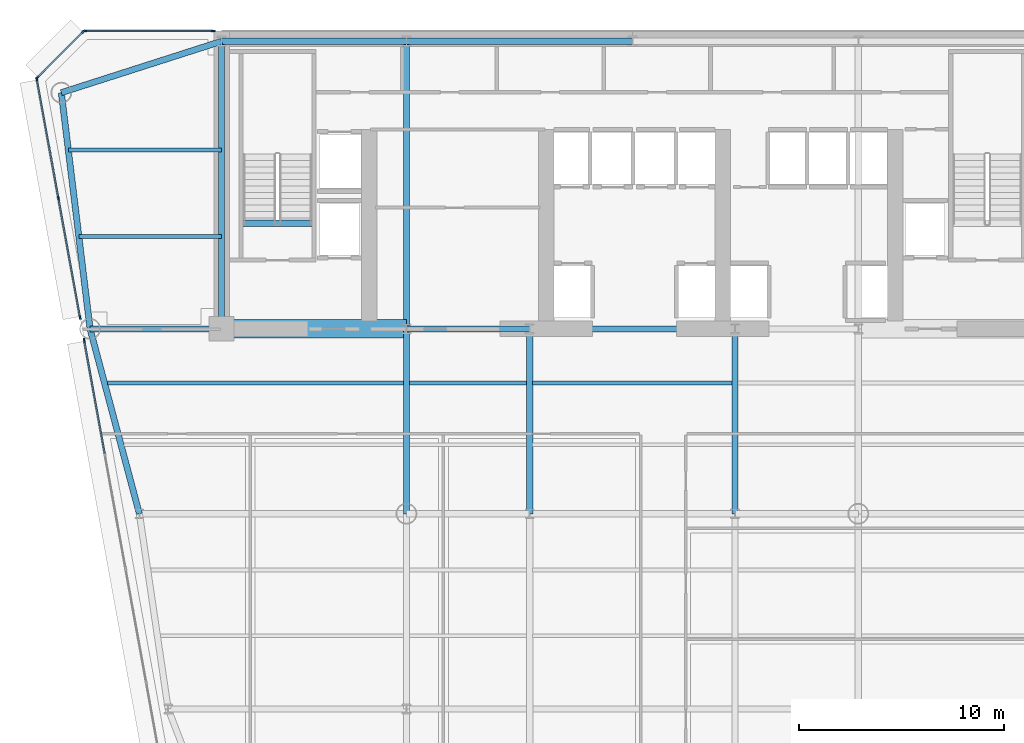
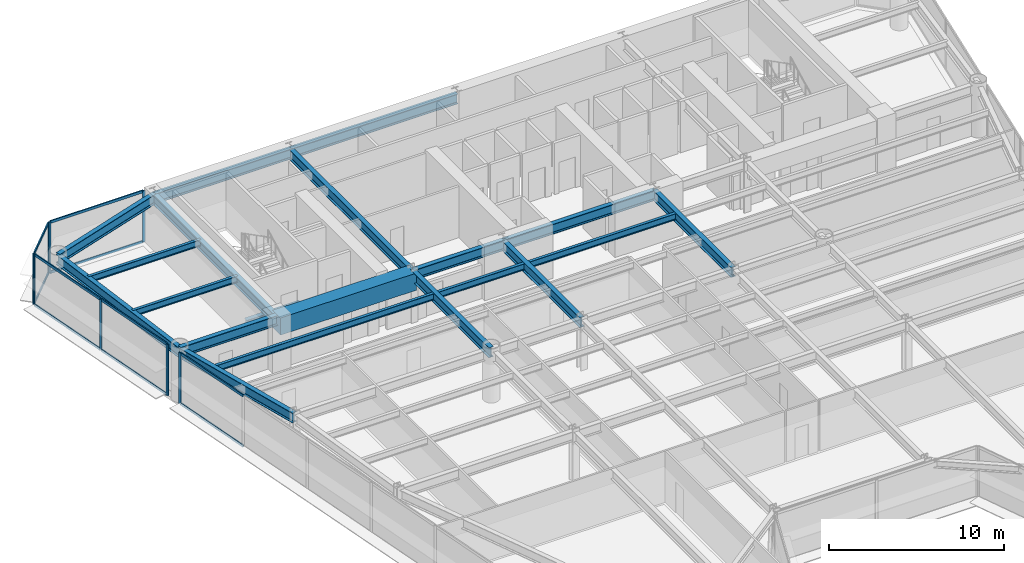
# One storey, part 5 of 14: 20 beams, 18 members, 4 elements without a shape of their own.
"""IFC4 building model written with IfcOpenShell, lengths in metres."""

from ifc_helpers import new_model, si_unit, direction, frame, origin, origin_2d, place, context, subcontext, project, spatial, rectangle, i_section, extrude, source, transform, mapped, material, layer, layer_set, material_profile, profile_set, type_object, element, aggregate, save


model = new_model("IFC4")

# Units and contexts
model_context = context("Model", 3, precision=1e-05, world=origin(), true_north=direction((0.0, 1.0)))
body_context = subcontext(model_context, "Body", "Model", "MODEL_VIEW")
ifc_project = project(units=[si_unit("LENGTHUNIT", "METRE"), si_unit("AREAUNIT", "SQUARE_METRE"), si_unit("VOLUMEUNIT", "CUBIC_METRE"), si_unit("PLANEANGLEUNIT", "RADIAN"), si_unit("MASSUNIT", "GRAM", prefix="KILO")], contexts=[model_context])

# Site, building, storey
site_placement = place(None, origin())
site = spatial("IfcSite", under=ifc_project, at=site_placement, CompositionType="ELEMENT")
building_placement = place(site_placement, origin())
building = spatial("IfcBuilding", under=site, at=building_placement, Name="Vaeldorn Concourse Tower", CompositionType="ELEMENT")
storey_placement = place(building_placement, frame((0.0, 0.0, 141.39990234375)))
storey = spatial("IfcBuildingStorey", under=building, at=storey_placement, Name="L36", CompositionType="ELEMENT", Elevation=141.39990234375)

# Beams
ifc_material_1 = material(Name="Concrete C60/75", Category="concrete")
ifc_material_profile_1 = material_profile(ifc_material_1, rectangle(XDim=0.89990234375, YDim=1.199951171875, at=origin_2d()), Name="RC 900x1200")
ifc_profile_set_1 = profile_set([ifc_material_profile_1], Name="Concrete C60/75")
beam_type_1 = type_object("IfcBeamType", Name="BM-CB-RC900", PredefinedType="BEAM", material=ifc_profile_set_1)
shared_shape_1 = source(origin(), body_context, "Body", "SweptSolid", [
    extrude(rectangle(XDim=0.89990234375, YDim=1.199951171875, at=origin_2d()), origin(), (0.0, 0.0, 1.0), 9.0),
])
beam_1_placement = place(storey_placement, frame((14.0, 36.5, 2.97998046875), z_axis=(1.0, 0.0, 0.0), x_axis=(0.0, 1.0, 0.0)))
element("IfcBeam", 1, at=beam_1_placement, inside=storey, type_object=beam_type_1, Name="Core Coupling Beam L36-1", PredefinedType="BEAM", context=body_context, shape_type="MappedRepresentation", body=[
    mapped(shared_shape_1, transform((0.0, 0.0, 0.0), scale=1.0)),
])
ifc_material_2 = material(Name="Steel S355", Category="steel")
ifc_material_profile_2 = material_profile(ifc_material_2, i_section(OverallWidth=0.300048828125, OverallDepth=0.340087890625, WebThickness=0.011962890625, FlangeThickness=0.021484375, FilletRadius=0.027099609375, at=origin_2d()), Name="HEB 340")
ifc_profile_set_2 = profile_set([ifc_material_profile_2], Name="Steel S355")
beam_type_2 = type_object("IfcBeamType", Name="BM-ST-TRIM", PredefinedType="BEAM", material=ifc_profile_set_2)
shared_shape_2 = source(origin(), body_context, "Body", "SweptSolid", [
    extrude(i_section(OverallWidth=0.300048828125, OverallDepth=0.340087890625, WebThickness=0.011962890625, FlangeThickness=0.021484375, FilletRadius=0.027099609375, at=origin_2d()), origin(), (0.0, 0.0, 1.0), 3.590087890625),
])
beam_2_placement = place(storey_placement, frame((14.929931640625, 41.639892578125, -0.389892578125), z_axis=(1.0, 0.0, 0.0), x_axis=(0.0, 1.0, 0.0)))
element("IfcBeam", 2, at=beam_2_placement, inside=storey, type_object=beam_type_2, Name="Stair Landing Trimmer Beam ST-1 L36", PredefinedType="BEAM", context=body_context, shape_type="MappedRepresentation", body=[
    mapped(shared_shape_2, transform((0.0, 0.0, 0.0), scale=1.0)),
])
ifc_material_profile_3 = material_profile(ifc_material_2, i_section(OverallWidth=0.300048828125, OverallDepth=0.699951171875, WebThickness=0.01708984375, FlangeThickness=0.031982421875, FilletRadius=0.027099609375, at=origin_2d()), Name="HEB 700")
ifc_profile_set_3 = profile_set([ifc_material_profile_3], Name="Steel S355")
beam_type_3 = type_object("IfcBeamType", Name="BM-PG-HEB700", PredefinedType="BEAM", material=ifc_profile_set_3)
shared_shape_3 = source(origin(), body_context, "Body", "SweptSolid", [
    extrude(i_section(OverallWidth=0.300048828125, OverallDepth=0.699951171875, WebThickness=0.01708984375, FlangeThickness=0.031982421875, FilletRadius=0.027099609375, at=origin_2d()), origin(), (0.0, 0.0, 1.0), 6.0),
])
beam_3_placement = place(storey_placement, frame((23.0, 36.5, 3.22998046875), z_axis=(1.0, 0.0, 0.0), x_axis=(0.0, 1.0, 0.0)))
element("IfcBeam", 3, at=beam_3_placement, inside=storey, type_object=beam_type_3, Name="Beam BM-L36-C-FC2-C-FC3", PredefinedType="BEAM", context=body_context, shape_type="MappedRepresentation", body=[
    mapped(shared_shape_3, transform((0.0, 0.0, 0.0), scale=1.0)),
])
shared_shape_4 = source(origin(), body_context, "Body", "SweptSolid", [
    extrude(i_section(OverallWidth=0.300048828125, OverallDepth=0.699951171875, WebThickness=0.01708984375, FlangeThickness=0.031982421875, FilletRadius=0.027099609375, at=origin_2d()), origin(), (0.0, 0.0, 1.0), 10.0),
])
beam_4_placement = place(storey_placement, frame((29.0, 36.5, 3.22998046875), z_axis=(1.0, 0.0, 0.0), x_axis=(0.0, 1.0, 0.0)))
element("IfcBeam", 4, at=beam_4_placement, inside=storey, type_object=beam_type_3, Name="Beam BM-L36-C-FC3-C-FC4", PredefinedType="BEAM", context=body_context, shape_type="MappedRepresentation", body=[
    mapped(shared_shape_4, transform((0.0, 0.0, 0.0), scale=1.0)),
])
shared_shape_5 = source(origin(), body_context, "Body", "SweptSolid", [
    extrude(i_section(OverallWidth=0.300048828125, OverallDepth=0.699951171875, WebThickness=0.01708984375, FlangeThickness=0.031982421875, FilletRadius=0.027099609375, at=origin_2d()), origin(), (0.0, 0.0, 1.0), 9.0),
])
for number, where, z_axis, x_axis, name in (
    (5, (14.0, 50.5, 3.22998046875), (1.0, 0.0, 0.0), (0.0, 1.0, 0.0), "Beam BM-L36-C-HC1-C-HC2"),
    (6, (23.0, 27.5, 3.22998046875), (0.0, 1.0, 0.0), (-1.0, 0.0, 0.0), "Beam BM-L36-C-TW1-C-FC2"),
    (7, (29.0, 27.5, 3.22998046875), (0.0, 1.0, 0.0), (-1.0, 0.0, 0.0), "Beam BM-L36-C-TW2-C-FC3"),
    (8, (39.0, 27.5, 3.22998046875), (0.0, 1.0, 0.0), (-1.0, 0.0, 0.0), "Beam BM-L36-C-TW3-C-FC4"),
):
    element("IfcBeam", number, at=place(storey_placement, frame(where, z_axis=z_axis, x_axis=x_axis)), inside=storey, type_object=beam_type_3, Name=name, PredefinedType="BEAM", context=body_context, shape_type="MappedRepresentation", body=[
        mapped(shared_shape_5, transform((0.0, 0.0, 0.0), scale=1.0)),
    ])
shared_shape_6 = source(origin(), body_context, "Body", "SweptSolid", [
    extrude(i_section(OverallWidth=0.300048828125, OverallDepth=0.699951171875, WebThickness=0.01708984375, FlangeThickness=0.031982421875, FilletRadius=0.027099609375, at=origin_2d()), origin(), (0.0, 0.0, 1.0), 11.0),
])
beam_5_placement = place(storey_placement, frame((23.0, 50.5, 3.22998046875), z_axis=(1.0, 0.0, 0.0), x_axis=(0.0, 1.0, 0.0)))
element("IfcBeam", 9, at=beam_5_placement, inside=storey, type_object=beam_type_3, Name="Beam BM-L36-C-HC2-C-HC3", PredefinedType="BEAM", context=body_context, shape_type="MappedRepresentation", body=[
    mapped(shared_shape_6, transform((0.0, 0.0, 0.0), scale=1.0)),
])
shared_shape_7 = source(origin(), body_context, "Body", "SweptSolid", [
    extrude(i_section(OverallWidth=0.300048828125, OverallDepth=0.699951171875, WebThickness=0.01708984375, FlangeThickness=0.031982421875, FilletRadius=0.027099609375, at=origin_2d()), origin(), (0.0, 0.0, 1.0), 14.0),
])
for number, where, z_axis, x_axis, name in (
    (10, (14.0, 36.5, 3.22998046875), (0.0, 1.0, 0.0), (-1.0, 0.0, 0.0), "Beam BM-L36-C-FC1-C-HC1"),
    (11, (23.0, 36.5, 3.22998046875), (0.0, 1.0, 0.0), (-1.0, 0.0, 0.0), "Beam BM-L36-C-FC2-C-HC2"),
):
    element("IfcBeam", number, at=place(storey_placement, frame(where, z_axis=z_axis, x_axis=x_axis)), inside=storey, type_object=beam_type_3, Name=name, PredefinedType="BEAM", context=body_context, shape_type="MappedRepresentation", body=[
        mapped(shared_shape_7, transform((0.0, 0.0, 0.0), scale=1.0)),
    ])
shared_shape_8 = source(origin(), body_context, "Body", "SweptSolid", [
    extrude(i_section(OverallWidth=0.300048828125, OverallDepth=0.699951171875, WebThickness=0.01708984375, FlangeThickness=0.031982421875, FilletRadius=0.027099609375, at=origin_2d()), origin(), (0.0, 0.0, 1.0), 8.19091796875),
])
beam_6_placement = place(storey_placement, frame((6.199951171875, 48.0, 3.22998046875), z_axis=(0.952282843383, 0.305216949396, 0.0), x_axis=(-0.305216949396, 0.952282843383, 0.0)))
element("IfcBeam", 12, at=beam_6_placement, inside=storey, type_object=beam_type_3, Name="Beam BM-L36-C-NW1-C-HC1", PredefinedType="BEAM", context=body_context, shape_type="MappedRepresentation", body=[
    mapped(shared_shape_8, transform((0.0, 0.0, 0.0), scale=1.0)),
])
shared_shape_9 = source(origin(), body_context, "Body", "SweptSolid", [
    extrude(i_section(OverallWidth=0.300048828125, OverallDepth=0.699951171875, WebThickness=0.01708984375, FlangeThickness=0.031982421875, FilletRadius=0.027099609375, at=origin_2d()), origin(), (0.0, 0.0, 1.0), 11.5849609375),
])
beam_7_placement = place(storey_placement, frame((6.199951171875, 48.0, 3.22998046875), z_axis=(0.120859382899, -0.992669637677, 0.0), x_axis=(0.992669637677, 0.120859382899, 0.0)))
element("IfcBeam", 13, at=beam_7_placement, inside=storey, type_object=beam_type_3, Name="Beam BM-L36-C-NW1-C-NW2", PredefinedType="BEAM", context=body_context, shape_type="MappedRepresentation", body=[
    mapped(shared_shape_9, transform((0.0, 0.0, 0.0), scale=1.0)),
])
shared_shape_10 = source(origin(), body_context, "Body", "SweptSolid", [
    extrude(i_section(OverallWidth=0.300048828125, OverallDepth=0.699951171875, WebThickness=0.01708984375, FlangeThickness=0.031982421875, FilletRadius=0.027099609375, at=origin_2d()), origin(), (0.0, 0.0, 1.0), 6.39990234375),
])
beam_8_placement = place(storey_placement, frame((7.60009765625, 36.5, 3.22998046875), z_axis=(1.0, 0.0, 0.0), x_axis=(0.0, 1.0, 0.0)))
element("IfcBeam", 14, at=beam_8_placement, inside=storey, type_object=beam_type_3, Name="Beam BM-L36-C-NW2-C-FC1", PredefinedType="BEAM", context=body_context, shape_type="MappedRepresentation", body=[
    mapped(shared_shape_10, transform((0.0, 0.0, 0.0), scale=1.0)),
])
shared_shape_11 = source(origin(), body_context, "Body", "SweptSolid", [
    extrude(i_section(OverallWidth=0.300048828125, OverallDepth=0.699951171875, WebThickness=0.01708984375, FlangeThickness=0.031982421875, FilletRadius=0.027099609375, at=origin_2d()), origin(), (0.0, 0.0, 1.0), 9.314453125),
])
beam_9_placement = place(storey_placement, frame((7.60009765625, 36.5, 3.22998046875), z_axis=(0.257652862255, -0.966237549763, 0.0), x_axis=(0.966237549763, 0.257652862255, 0.0)))
element("IfcBeam", 15, at=beam_9_placement, inside=storey, type_object=beam_type_3, Name="Beam BM-L36-C-NW2-C-FLW1", PredefinedType="BEAM", context=body_context, shape_type="MappedRepresentation", body=[
    mapped(shared_shape_11, transform((0.0, 0.0, 0.0), scale=1.0)),
])
ifc_material_profile_4 = material_profile(ifc_material_2, i_section(OverallWidth=0.18994140625, OverallDepth=0.449951171875, WebThickness=0.009521484375, FlangeThickness=0.0146484375, FilletRadius=0.02099609375, at=origin_2d()), Name="IPE 450")
ifc_profile_set_4 = profile_set([ifc_material_profile_4], Name="Steel S355")
beam_type_4 = type_object("IfcBeamType", Name="BM-JS-IPE450", PredefinedType="JOIST", material=ifc_profile_set_4)
shared_shape_12 = source(origin(), body_context, "Body", "SweptSolid", [
    extrude(i_section(OverallWidth=0.18994140625, OverallDepth=0.449951171875, WebThickness=0.009521484375, FlangeThickness=0.0146484375, FilletRadius=0.02099609375, at=origin_2d()), origin(), (0.0, 0.0, 1.0), 5.7001953125),
])
beam_10_placement = place(storey_placement, frame((23.14990234375, 33.860107421875, 3.35498046875), z_axis=(1.0, 0.0, 0.0), x_axis=(0.0, 1.0, 0.0)))
element("IfcBeam", 16, at=beam_10_placement, inside=storey, type_object=beam_type_4, Name="Beam JS-L36-W2-338", PredefinedType="JOIST", context=body_context, shape_type="MappedRepresentation", body=[
    mapped(shared_shape_12, transform((0.0, 0.0, 0.0), scale=1.0)),
])
shared_shape_13 = source(origin(), body_context, "Body", "SweptSolid", [
    extrude(i_section(OverallWidth=0.18994140625, OverallDepth=0.449951171875, WebThickness=0.009521484375, FlangeThickness=0.0146484375, FilletRadius=0.02099609375, at=origin_2d()), origin(), (0.0, 0.0, 1.0), 9.7001953125),
])
beam_11_placement = place(storey_placement, frame((29.14990234375, 33.860107421875, 3.35498046875), z_axis=(1.0, 0.0, 0.0), x_axis=(0.0, 1.0, 0.0)))
element("IfcBeam", 17, at=beam_11_placement, inside=storey, type_object=beam_type_4, Name="Beam JS-L36-C-338", PredefinedType="JOIST", context=body_context, shape_type="MappedRepresentation", body=[
    mapped(shared_shape_13, transform((0.0, 0.0, 0.0), scale=1.0)),
])
shared_shape_14 = source(origin(), body_context, "Body", "SweptSolid", [
    extrude(i_section(OverallWidth=0.18994140625, OverallDepth=0.449951171875, WebThickness=0.009521484375, FlangeThickness=0.0146484375, FilletRadius=0.02099609375, at=origin_2d()), origin(), (0.0, 0.0, 1.0), 6.94775390625),
])
beam_12_placement = place(storey_placement, frame((7.05224609375, 41.0, 3.35498046875), z_axis=(1.0, 0.0, 0.0), x_axis=(0.0, 1.0, 0.0)))
element("IfcBeam", 18, at=beam_12_placement, inside=storey, type_object=beam_type_4, Name="Beam JS-L36-NW-410", PredefinedType="JOIST", context=body_context, shape_type="MappedRepresentation", body=[
    mapped(shared_shape_14, transform((0.0, 0.0, 0.0), scale=1.0)),
])
shared_shape_15 = source(origin(), body_context, "Body", "SweptSolid", [
    extrude(i_section(OverallWidth=0.18994140625, OverallDepth=0.449951171875, WebThickness=0.009521484375, FlangeThickness=0.0146484375, FilletRadius=0.02099609375, at=origin_2d()), origin(), (0.0, 0.0, 1.0), 7.458984375),
])
beam_13_placement = place(storey_placement, frame((6.541015625, 45.199951171875, 3.35498046875), z_axis=(1.0, 0.0, 0.0), x_axis=(0.0, 1.0, 0.0)))
element("IfcBeam", 19, at=beam_13_placement, inside=storey, type_object=beam_type_4, Name="Beam JS-L36-NW-452", PredefinedType="JOIST", context=body_context, shape_type="MappedRepresentation", body=[
    mapped(shared_shape_15, transform((0.0, 0.0, 0.0), scale=1.0)),
])
shared_shape_16 = source(origin(), body_context, "Body", "SweptSolid", [
    extrude(i_section(OverallWidth=0.18994140625, OverallDepth=0.449951171875, WebThickness=0.009521484375, FlangeThickness=0.0146484375, FilletRadius=0.02099609375, at=origin_2d()), origin(), (0.0, 0.0, 1.0), 14.39599609375),
])
beam_14_placement = place(storey_placement, frame((8.4541015625, 33.860107421875, 3.35498046875), z_axis=(1.0, 0.0, 0.0), x_axis=(0.0, 1.0, 0.0)))
element("IfcBeam", 20, at=beam_14_placement, inside=storey, type_object=beam_type_4, Name="Beam JS-L36-W1-338", PredefinedType="JOIST", context=body_context, shape_type="MappedRepresentation", body=[
    mapped(shared_shape_16, transform((0.0, 0.0, 0.0), scale=1.0)),
])

# Curtain wall, members
ifc_material_3 = material(Name="Anodised Bronze Aluminium", Category="aluminium")
ifc_layer = layer(ifc_material_3, 0.199951171875)
ifc_layer_set = layer_set([ifc_layer], Name="Anodised Bronze Aluminium")
curtain_wall_type = type_object("IfcCurtainWallType", Name="CW-SYS-02", PredefinedType="NOTDEFINED", material=ifc_layer_set)
curtain_wall_1_placement = place(storey_placement, origin())
curtain_wall_1 = element("IfcCurtainWall", 21, at=curtain_wall_1_placement, inside=storey, type_object=curtain_wall_type, Name="Unitised Curtain Wall CW-L36-E10-1", PredefinedType="NOTDEFINED")
ifc_material_profile_5 = material_profile(ifc_material_3, rectangle(XDim=0.074951171875, YDim=0.179931640625, at=origin_2d()), Name="CWT 75x180")
ifc_profile_set_5 = profile_set([ifc_material_profile_5], Name="Anodised Bronze Aluminium")
member_type_1 = type_object("IfcMemberType", Name="CWT-BRONZE-180", PredefinedType="USERDEFINED", material=ifc_profile_set_5)
shared_shape_17 = source(origin(), body_context, "Body", "SweptSolid", [
    extrude(rectangle(XDim=0.074951171875, YDim=0.179931640625, at=origin_2d()), origin(), (0.0, 0.0, 1.0), 3.10302734375),
])
member_1_placement = place(storey_placement, frame((7.2470703125, 50.947021484375, 0.03759765625), z_axis=(-0.707106781187, -0.707106781187, 0.0), x_axis=(0.707106781187, -0.707106781187, 0.0)))
member_1 = element("IfcMember", 22, at=member_1_placement, type_object=member_type_1, Name="CW-02 transom 1.1", ObjectType="TRANSOM", PredefinedType="USERDEFINED", context=body_context, shape_type="MappedRepresentation", body=[
    mapped(shared_shape_17, transform((0.0, 0.0, 0.0), scale=1.0)),
])
member_2_placement = place(storey_placement, frame((7.2470703125, 50.947021484375, 3.54248046875), z_axis=(-0.707106781187, -0.707106781187, 0.0), x_axis=(0.707106781187, -0.707106781187, 0.0)))
member_2 = element("IfcMember", 23, at=member_2_placement, type_object=member_type_1, Name="CW-02 transom 1.2", ObjectType="TRANSOM", PredefinedType="USERDEFINED", context=body_context, shape_type="MappedRepresentation", body=[
    mapped(shared_shape_17, transform((0.0, 0.0, 0.0), scale=1.0)),
])

curtain_wall_2_placement = place(storey_placement, origin())
curtain_wall_2 = element("IfcCurtainWall", 24, at=curtain_wall_2_placement, inside=storey, type_object=curtain_wall_type, Name="Unitised Curtain Wall CW-L36-E09-2", PredefinedType="NOTDEFINED")
ifc_material_profile_6 = material_profile(ifc_material_3, rectangle(XDim=0.074951171875, YDim=0.18994140625, at=origin_2d()), Name="CWM 75x190")
ifc_profile_set_6 = profile_set([ifc_material_profile_6], Name="Anodised Bronze Aluminium")
member_type_2 = type_object("IfcMemberType", Name="CWM-BRONZE-190", PredefinedType="MULLION", material=ifc_profile_set_6)
shared_shape_18 = source(origin(), body_context, "Body", "SweptSolid", [
    extrude(rectangle(XDim=0.074951171875, YDim=0.18994140625, at=origin_2d()), origin(), (0.0, 0.0, 1.0), 3.580078125),
])
member_3_placement = place(storey_placement, frame((13.592529296875, 51.0, 0.0), z_axis=(0.0, 0.0, 1.0), x_axis=(0.0, -1.0, 0.0)))
member_3 = element("IfcMember", 25, at=member_3_placement, type_object=member_type_2, Name="CW-02 mullion 1", PredefinedType="MULLION", context=body_context, shape_type="MappedRepresentation", body=[
    mapped(shared_shape_18, transform((0.0, 0.0, 0.0), scale=1.0)),
])
member_4_placement = place(storey_placement, frame((7.33740234375, 51.0, 0.0), z_axis=(0.0, 0.0, 1.0), x_axis=(0.0, -1.0, 0.0)))
member_4 = element("IfcMember", 26, at=member_4_placement, type_object=member_type_2, Name="CW-02 mullion 2", PredefinedType="MULLION", context=body_context, shape_type="MappedRepresentation", body=[
    mapped(shared_shape_18, transform((0.0, 0.0, 0.0), scale=1.0)),
])

# Member
member_5_placement = place(storey_placement, frame((7.2734375, 50.973388671875, 0.0), z_axis=(0.0, 0.0, 1.0), x_axis=(0.707106781187, -0.707106781187, 0.0)))
member_5 = element("IfcMember", 27, at=member_5_placement, type_object=member_type_2, Name="CW-02 mullion 1", PredefinedType="MULLION", context=body_context, shape_type="MappedRepresentation", body=[
    mapped(shared_shape_18, transform((0.0, 0.0, 0.0), scale=1.0)),
])

member_6_placement = place(storey_placement, frame((5.026611328125, 48.7265625, 0.0), z_axis=(0.0, 0.0, 1.0), x_axis=(0.707106781187, -0.707106781187, 0.0)))
member_6 = element("IfcMember", 28, at=member_6_placement, type_object=member_type_2, Name="CW-02 mullion 2", PredefinedType="MULLION", context=body_context, shape_type="MappedRepresentation", body=[
    mapped(shared_shape_18, transform((0.0, 0.0, 0.0), scale=1.0)),
])

aggregate(curtain_wall_1, [member_5, member_6, member_1, member_2])

# Curtain wall, members
curtain_wall_3_placement = place(storey_placement, origin())
curtain_wall_3 = element("IfcCurtainWall", 29, at=curtain_wall_3_placement, inside=storey, type_object=curtain_wall_type, Name="Unitised Curtain Wall CW-L36-E11-1", PredefinedType="NOTDEFINED")
member_7_placement = place(storey_placement, frame((5.006591796875, 48.6630859375, 0.0), z_axis=(0.0, 0.0, 1.0), x_axis=(0.983935069773, 0.178526688398, 0.0)))
member_7 = element("IfcMember", 30, at=member_7_placement, type_object=member_type_2, Name="CW-02 mullion 1", PredefinedType="MULLION", context=body_context, shape_type="MappedRepresentation", body=[
    mapped(shared_shape_18, transform((0.0, 0.0, 0.0), scale=1.0)),
])
member_8_placement = place(storey_placement, frame((6.059814453125, 42.85888671875, 0.0), z_axis=(0.0, 0.0, 1.0), x_axis=(0.983935069773, 0.178526688398, 0.0)))
member_8 = element("IfcMember", 31, at=member_8_placement, type_object=member_type_2, Name="CW-02 mullion 2", PredefinedType="MULLION", context=body_context, shape_type="MappedRepresentation", body=[
    mapped(shared_shape_18, transform((0.0, 0.0, 0.0), scale=1.0)),
])
member_9_placement = place(storey_placement, frame((7.11279296875, 37.054931640625, 0.0), z_axis=(0.0, 0.0, 1.0), x_axis=(0.983935069773, 0.178526688398, 0.0)))
member_9 = element("IfcMember", 32, at=member_9_placement, type_object=member_type_2, Name="CW-02 mullion 3", PredefinedType="MULLION", context=body_context, shape_type="MappedRepresentation", body=[
    mapped(shared_shape_18, transform((0.0, 0.0, 0.0), scale=1.0)),
])

# Curtain wall, member
curtain_wall_4_placement = place(storey_placement, origin())
curtain_wall_4 = element("IfcCurtainWall", 33, at=curtain_wall_4_placement, inside=storey, type_object=curtain_wall_type, Name="Unitised Curtain Wall CW-L36-E11-2", PredefinedType="NOTDEFINED")
member_10_placement = place(storey_placement, frame((7.314208984375, 35.945068359375, 0.0), z_axis=(0.0, 0.0, 1.0), x_axis=(0.983935230381, 0.17852580322, 0.0)))
member_10 = element("IfcMember", 34, at=member_10_placement, type_object=member_type_2, Name="CW-02 mullion 1", PredefinedType="MULLION", context=body_context, shape_type="MappedRepresentation", body=[
    mapped(shared_shape_18, transform((0.0, 0.0, 0.0), scale=1.0)),
])

# Member
shared_shape_19 = source(origin(), body_context, "Body", "SweptSolid", [
    extrude(rectangle(XDim=0.074951171875, YDim=0.179931640625, at=origin_2d()), origin(), (0.0, 0.0, 1.0), 6.179931640625),
])
member_11_placement = place(storey_placement, frame((13.554931640625, 51.0, 0.03759765625), z_axis=(-1.0, 0.0, 0.0), x_axis=(0.0, -1.0, 0.0)))
member_11 = element("IfcMember", 35, at=member_11_placement, type_object=member_type_1, Name="CW-02 transom 1.1", ObjectType="TRANSOM", PredefinedType="USERDEFINED", context=body_context, shape_type="MappedRepresentation", body=[
    mapped(shared_shape_19, transform((0.0, 0.0, 0.0), scale=1.0)),
])

member_12_placement = place(storey_placement, frame((13.554931640625, 51.0, 3.54248046875), z_axis=(-1.0, 0.0, 0.0), x_axis=(0.0, -1.0, 0.0)))
member_12 = element("IfcMember", 36, at=member_12_placement, type_object=member_type_1, Name="CW-02 transom 1.2", ObjectType="TRANSOM", PredefinedType="USERDEFINED", context=body_context, shape_type="MappedRepresentation", body=[
    mapped(shared_shape_19, transform((0.0, 0.0, 0.0), scale=1.0)),
])

aggregate(curtain_wall_2, [member_3, member_4, member_11, member_12])

shared_shape_20 = source(origin(), body_context, "Body", "SweptSolid", [
    extrude(rectangle(XDim=0.074951171875, YDim=0.179931640625, at=origin_2d()), origin(), (0.0, 0.0, 1.0), 5.55224609375),
])
member_13_placement = place(storey_placement, frame((7.321044921875, 35.908203125, 0.03759765625), z_axis=(0.178521699007, -0.983935975043, 0.0), x_axis=(0.983935975043, 0.178521699007, 0.0)))
member_13 = element("IfcMember", 37, at=member_13_placement, type_object=member_type_1, Name="CW-02 transom 1.1", ObjectType="TRANSOM", PredefinedType="USERDEFINED", context=body_context, shape_type="MappedRepresentation", body=[
    mapped(shared_shape_20, transform((0.0, 0.0, 0.0), scale=1.0)),
])

member_14_placement = place(storey_placement, frame((7.321044921875, 35.908203125, 3.54248046875), z_axis=(0.178521699007, -0.983935975043, 0.0), x_axis=(0.983935975043, 0.178521699007, 0.0)))
member_14 = element("IfcMember", 38, at=member_14_placement, type_object=member_type_1, Name="CW-02 transom 1.2", ObjectType="TRANSOM", PredefinedType="USERDEFINED", context=body_context, shape_type="MappedRepresentation", body=[
    mapped(shared_shape_20, transform((0.0, 0.0, 0.0), scale=1.0)),
])

aggregate(curtain_wall_4, [member_10, member_13, member_14])

shared_shape_21 = source(origin(), body_context, "Body", "SweptSolid", [
    extrude(rectangle(XDim=0.074951171875, YDim=0.179931640625, at=origin_2d()), origin(), (0.0, 0.0, 1.0), 5.82373046875),
])
member_15_placement = place(storey_placement, frame((5.013427734375, 48.626220703125, 0.03759765625), z_axis=(0.178542344313, -0.983932229011, 0.0), x_axis=(0.983932229011, 0.178542344313, 0.0)))
member_15 = element("IfcMember", 39, at=member_15_placement, type_object=member_type_1, Name="CW-02 transom 1.1", ObjectType="TRANSOM", PredefinedType="USERDEFINED", context=body_context, shape_type="MappedRepresentation", body=[
    mapped(shared_shape_21, transform((0.0, 0.0, 0.0), scale=1.0)),
])

member_16_placement = place(storey_placement, frame((5.013427734375, 48.626220703125, 3.54248046875), z_axis=(0.178542344313, -0.983932229011, 0.0), x_axis=(0.983932229011, 0.178542344313, 0.0)))
member_16 = element("IfcMember", 40, at=member_16_placement, type_object=member_type_1, Name="CW-02 transom 1.2", ObjectType="TRANSOM", PredefinedType="USERDEFINED", context=body_context, shape_type="MappedRepresentation", body=[
    mapped(shared_shape_21, transform((0.0, 0.0, 0.0), scale=1.0)),
])

member_17_placement = place(storey_placement, frame((6.06640625, 42.822021484375, 0.03759765625), z_axis=(0.178542344313, -0.983932229011, 0.0), x_axis=(0.983932229011, 0.178542344313, 0.0)))
member_17 = element("IfcMember", 41, at=member_17_placement, type_object=member_type_1, Name="CW-02 transom 2.1", ObjectType="TRANSOM", PredefinedType="USERDEFINED", context=body_context, shape_type="MappedRepresentation", body=[
    mapped(shared_shape_21, transform((0.0, 0.0, 0.0), scale=1.0)),
])

member_18_placement = place(storey_placement, frame((6.06640625, 42.822021484375, 3.54248046875), z_axis=(0.178542344313, -0.983932229011, 0.0), x_axis=(0.983932229011, 0.178542344313, 0.0)))
member_18 = element("IfcMember", 42, at=member_18_placement, type_object=member_type_1, Name="CW-02 transom 2.2", ObjectType="TRANSOM", PredefinedType="USERDEFINED", context=body_context, shape_type="MappedRepresentation", body=[
    mapped(shared_shape_21, transform((0.0, 0.0, 0.0), scale=1.0)),
])

aggregate(curtain_wall_3, [member_7, member_8, member_9, member_15, member_16, member_17, member_18])

save(model, "model.ifc")
